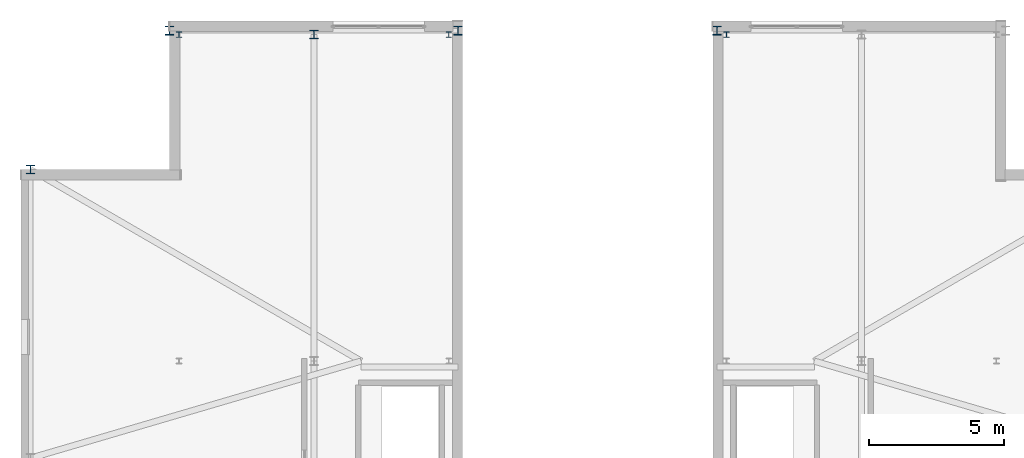
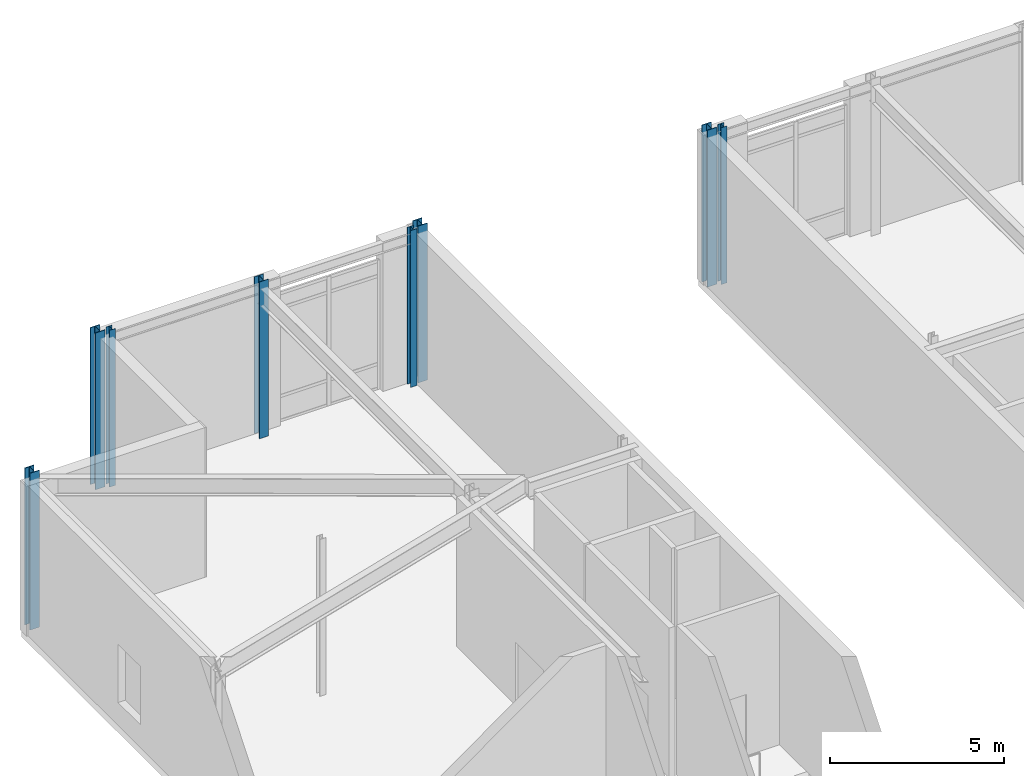
# One storey, part 5 of 14: 8 columns.
"""IFC4 building model written with IfcOpenShell, lengths in metres."""

import ifcopenshell
import ifcopenshell.guid

model = None  # the IFC model being written
_history = None  # IfcOwnerHistory: only IFC2X3 demands one
_inside = {}  # id of a spatial element -> (the spatial element, [elements in it])
_under = {}  # id of a project, library or spatial element -> (it, [spatial elements below it])
_declared = {}  # id of a project -> (the project, [libraries it declares])
_typed = {}  # id of a type object -> (the type object, [elements of that type])
_made_of = {}  # id of a material, layer set ... -> (it, [elements and type objects made of it])


def new_model(schema):
    """Start an empty IFC model of exactly this schema.

    Asked for "IFC4X3", IfcOpenShell would pick the latest addendum, in which some entities
    have other attributes; the version numbers below select the first issue.
    IFC2X3 requires an IfcOwnerHistory on every rooted entity: one is made here for all.
    """
    global model, _history
    if schema == "IFC4X3":
        model = ifcopenshell.file(schema_version=(4, 3, 0, 0))
    else:
        model = ifcopenshell.file(schema=schema)
    _inside.clear()
    _under.clear()
    _declared.clear()
    _typed.clear()
    _made_of.clear()
    _history = None
    if model.schema == "IFC2X3":
        org = make("IfcOrganization", Name="unknown")
        user = make(
            "IfcPersonAndOrganization",
            ThePerson=make("IfcPerson", FamilyName="unknown"),
            TheOrganization=org,
        )
        app = make(
            "IfcApplication",
            ApplicationDeveloper=org,
            Version="unknown",
            ApplicationFullName="unknown",
            ApplicationIdentifier="unknown",
        )
        _history = make(
            "IfcOwnerHistory",
            OwningUser=user,
            OwningApplication=app,
            ChangeAction="ADDED",
            CreationDate=0,
        )
    return model


def make(cls, **values):
    """One entity of the class cls with the attributes given. An attribute that is None is left unset."""
    return model.create_entity(
        cls, **{name: value for name, value in values.items() if value is not None}
    )


def rooted(cls, **values):
    """An entity with a GlobalId (a new one), such as an element, a storey or a relation."""
    return make(cls, GlobalId=ifcopenshell.guid.new(), OwnerHistory=_history, **values)


def si_unit(unit_type, name, prefix=None):
    """IfcSIUnit, for example si_unit("LENGTHUNIT", "METRE", prefix="MILLI")."""
    return make("IfcSIUnit", UnitType=unit_type, Prefix=prefix, Name=name)


def assignment(units):
    """IfcUnitAssignment: the units of a project."""
    return None if units is None else make("IfcUnitAssignment", Units=units)


def point(xyz):
    """IfcCartesianPoint."""
    return None if xyz is None else make("IfcCartesianPoint", Coordinates=xyz)


def direction(xyz):
    """IfcDirection."""
    return None if xyz is None else make("IfcDirection", DirectionRatios=xyz)


def frame(location, z_axis=None, x_axis=None):
    """IfcAxis2Placement3D, a coordinate frame: its origin and axes. An axis left out is left unset."""
    return make(
        "IfcAxis2Placement3D",
        Location=point(location),
        Axis=direction(z_axis),
        RefDirection=direction(x_axis),
    )


def frame_2d(location, x_axis=None):
    """IfcAxis2Placement2D, a coordinate frame in the plane: its origin and x axis."""
    return make(
        "IfcAxis2Placement2D", Location=point(location), RefDirection=direction(x_axis)
    )


def origin():
    """The frame at (0, 0, 0) with its axes left unset."""
    return frame((0.0, 0.0, 0.0))


def origin_2d():
    """The frame at (0, 0) in the plane with its x axis left unset."""
    return frame_2d((0.0, 0.0))


def place(relative_to, where):
    """IfcLocalPlacement: puts the frame where relative to a parent placement (None: the world)."""
    return make(
        "IfcLocalPlacement", PlacementRelTo=relative_to, RelativePlacement=where
    )


def context(
    kind, dimensions, precision=None, world=None, true_north=None, identifier=None
):
    """IfcGeometricRepresentationContext, for example the 3D "Model" context."""
    return make(
        "IfcGeometricRepresentationContext",
        ContextIdentifier=identifier,
        ContextType=kind,
        CoordinateSpaceDimension=dimensions,
        Precision=precision,
        WorldCoordinateSystem=world,
        TrueNorth=true_north,
    )


def subcontext(parent, identifier, kind, view, scale=None):
    """IfcGeometricRepresentationSubContext, for example "Body" below "Model"."""
    return make(
        "IfcGeometricRepresentationSubContext",
        ContextIdentifier=identifier,
        ContextType=kind,
        ParentContext=parent,
        TargetScale=scale,
        TargetView=view,
    )


def project(units=None, contexts=None):
    """IfcProject with its units and contexts."""
    return rooted(
        "IfcProject",
        Name="project",
        RepresentationContexts=contexts,
        UnitsInContext=assignment(units),
    )


def spatial(cls, under=None, at=None, **own):
    """A site, building, storey or space (cls), placed at a placement, below another one or the project."""
    s = rooted(cls, ObjectPlacement=at, **own)
    if under is not None:
        _under.setdefault(under.id(), (under, []))[1].append(s)
    return s


def profile(cls, at=None, kind="AREA", **sizes):
    """A parametric profile (cls). Its sizes go by their IFC names, for example OverallWidth=200.0."""
    return make(cls, ProfileType=kind, Position=at, **sizes)


def i_section(**sizes):
    """IfcIShapeProfileDef."""
    return profile("IfcIShapeProfileDef", **sizes)


def extrude(swept, where, along, depth):
    """IfcExtrudedAreaSolid: the profile swept, set in the frame where, extruded along a direction by depth."""
    return make(
        "IfcExtrudedAreaSolid",
        SweptArea=swept,
        Position=where,
        ExtrudedDirection=direction(along),
        Depth=depth,
    )


def shape(context_of_items, identifier, shape_type, items):
    """IfcShapeRepresentation: the items that make up one representation, for example the "Body"."""
    return make(
        "IfcShapeRepresentation",
        ContextOfItems=context_of_items,
        RepresentationIdentifier=identifier,
        RepresentationType=shape_type,
        Items=items,
    )


def material(Name=None, Category=None):
    """IfcMaterial."""
    return make("IfcMaterial", Name=Name, Category=Category)


def material_profile(
    of_material, cross_section, Name=None, Category=None, Priority=None
):
    """IfcMaterialProfile: a cross section and its material."""
    return make(
        "IfcMaterialProfile",
        Name=Name,
        Material=of_material,
        Profile=cross_section,
        Priority=Priority,
        Category=Category,
    )


def profile_set(profiles, Name=None, composite=None):
    """IfcMaterialProfileSet."""
    return make(
        "IfcMaterialProfileSet",
        Name=Name,
        MaterialProfiles=profiles,
        CompositeProfile=composite,
    )


def made_of(thing, what):
    """Note that an element or type object is made of a material, layer set ...; save() writes the relation."""
    if what is not None:
        _made_of.setdefault(what.id(), (what, []))[1].append(thing)
    return thing


def type_object(cls, material=None, **own):
    """A type object (cls), such as IfcWallType, which elements share."""
    return made_of(rooted(cls, **own), material)


def element(
    cls,
    number,
    at=None,
    inside=None,
    cuts=None,
    type_object=None,
    material=None,
    context=None,
    identifier="Body",
    shape_type=None,
    held_by="IfcProductDefinitionShape",
    body=None,
    shapes=None,
    **own,
):
    """One element of the class cls, such as IfcWall. Its Tag is "e" and its number.

    at: its placement. inside: the storey or other place that contains it. cuts: it is an
    opening in that element (IfcRelVoidsElement). A single representation is given by context,
    identifier, shape_type and body (its items); several are given by shapes. held_by: the class
    of the entity that holds the representations. save() writes the other relations.
    """
    e = rooted(cls, Tag="e%d" % number, ObjectPlacement=at, **own)
    if body is not None:
        shapes = [shape(context, identifier, shape_type, body)]
    if shapes is not None:
        e.Representation = make(held_by, Representations=shapes)
    if inside is not None:
        _inside.setdefault(inside.id(), (inside, []))[1].append(e)
    if cuts is not None:
        rooted(
            "IfcRelVoidsElement", RelatingBuildingElement=cuts, RelatedOpeningElement=e
        )
    if type_object is not None:
        _typed.setdefault(type_object.id(), (type_object, []))[1].append(e)
    return made_of(e, material)


def aggregate(whole, parts):
    """IfcRelAggregates: a whole, such as a stair, and the parts it consists of."""
    return rooted("IfcRelAggregates", RelatingObject=whole, RelatedObjects=parts)


def save(model, path):
    """Write the relations noted so far, then the file.

    IfcRelAggregates (storeys below a building ...), IfcRelContainedInSpatialStructure (elements
    in a storey), IfcRelDefinesByType, IfcRelAssociatesMaterial and IfcRelDeclares: one each for
    every whole, place, type object, material and project.
    """
    for whole, parts in _under.values():
        aggregate(whole, parts)
    for where, things in _inside.values():
        rooted(
            "IfcRelContainedInSpatialStructure",
            RelatedElements=things,
            RelatingStructure=where,
        )
    for kind, things in _typed.values():
        rooted("IfcRelDefinesByType", RelatedObjects=things, RelatingType=kind)
    for what, things in _made_of.values():
        rooted("IfcRelAssociatesMaterial", RelatedObjects=things, RelatingMaterial=what)
    for by, libraries in _declared.values():
        rooted("IfcRelDeclares", RelatingContext=by, RelatedDefinitions=libraries)
    model.write(path)


model = new_model("IFC4")

# Units and contexts
model_context = context("Model", 3, precision=1e-05, world=origin(), true_north=direction((0.0, 1.0)))
body_context = subcontext(model_context, "Body", "Model", "MODEL_VIEW")
ifc_project = project(units=[si_unit("LENGTHUNIT", "METRE"), si_unit("AREAUNIT", "SQUARE_METRE"), si_unit("VOLUMEUNIT", "CUBIC_METRE"), si_unit("PLANEANGLEUNIT", "RADIAN"), si_unit("MASSUNIT", "GRAM", prefix="KILO")], contexts=[model_context])

# Site, building, storey
site_placement = place(None, origin())
site = spatial("IfcSite", under=ifc_project, at=site_placement, CompositionType="ELEMENT")
building_placement = place(site_placement, origin())
building = spatial("IfcBuilding", under=site, at=building_placement, Name="Cairnveth Concourse Tower", CompositionType="ELEMENT")
storey_placement = place(building_placement, frame((0.0, 0.0, 330.0)))
storey = spatial("IfcBuildingStorey", under=building, at=storey_placement, Name="L90", CompositionType="ELEMENT", Elevation=330.0)

# Columns
ifc_material = material(Name="Steel Grade 350", Category="steel")
ifc_material_profile_1 = material_profile(ifc_material, i_section(OverallWidth=0.202880859375, OverallDepth=0.202880859375, WebThickness=0.00927734375, FlangeThickness=0.01416015625, FilletRadius=0.010009765625, at=origin_2d()), Name="200UC59.5")
ifc_profile_set_1 = profile_set([ifc_material_profile_1], Name="Steel Grade 350")
column_type_1 = type_object("IfcColumnType", Name="PILASTER STEEL COLUMN 200UC59.5", PredefinedType="PILASTER", material=ifc_profile_set_1)
for number, where, z_axis, x_axis, name in (
    (1, (36.85009765625, 59.5, 0.0), (0.0, 0.0, 1.0), (1.0, 0.0, 0.0), "Column CRL-W4 L90"),
    (2, (46.85009765625, 59.5, 0.0), (0.0, 0.0, 1.0), (1.0, 0.0, 0.0), "Column CRR-W4 L90"),
    (3, (57.14990234375, 59.5, 0.0), (0.0, 0.0, 1.0), (1.0, 0.0, 0.0), "Column CRL-E4 L90"),
):
    element("IfcColumn", number, at=place(storey_placement, frame(where, z_axis=z_axis, x_axis=x_axis)), inside=storey, type_object=column_type_1, Name=name, PredefinedType="PILASTER", context=body_context, shape_type="SweptSolid", body=[
        extrude(i_section(OverallWidth=0.202880859375, OverallDepth=0.202880859375, WebThickness=0.00927734375, FlangeThickness=0.01416015625, FilletRadius=0.010009765625, at=origin_2d()), origin(), (0.0, 0.0, 1.0), 5.5),
    ])
ifc_material_profile_2 = material_profile(ifc_material, i_section(OverallWidth=0.306884765625, OverallDepth=0.31494140625, WebThickness=0.011962890625, FlangeThickness=0.018798828125, FilletRadius=0.01611328125, at=origin_2d()), Name="310UC118")
ifc_profile_set_2 = profile_set([ifc_material_profile_2], Name="Steel Grade 350")
column_type_2 = type_object("IfcColumnType", Name="UNIVERSAL STEEL COLUMN 310UC118", PredefinedType="COLUMN", material=ifc_profile_set_2)
column_placement = place(storey_placement, frame((41.85009765625, 59.5, 0.0), z_axis=(0.0, 0.0, 1.0), x_axis=(1.0, 0.0, 0.0)))
element("IfcColumn", 4, at=column_placement, inside=storey, type_object=column_type_2, Name="Column CRM-W4 L90", PredefinedType="COLUMN", context=body_context, shape_type="SweptSolid", body=[
    extrude(i_section(OverallWidth=0.306884765625, OverallDepth=0.31494140625, WebThickness=0.011962890625, FlangeThickness=0.018798828125, FilletRadius=0.01611328125, at=origin_2d()), origin(), (0.0, 0.0, 1.0), 5.5),
])
ifc_material_profile_3 = material_profile(ifc_material, i_section(OverallWidth=0.31103515625, OverallDepth=0.326904296875, WebThickness=0.015625, FlangeThickness=0.02490234375, FilletRadius=0.01611328125, at=origin_2d()), Name="310UC158")
ifc_profile_set_3 = profile_set([ifc_material_profile_3], Name="Steel Grade 350")
column_type_3 = type_object("IfcColumnType", Name="UNIVERSAL STEEL COLUMN 310UC158", PredefinedType="COLUMN", material=ifc_profile_set_3)
for number, where, z_axis, x_axis, name in (
    (5, (56.800048828125, 59.64990234375, 0.0), (0.0, 0.0, 1.0), (1.0, 0.0, 0.0), "Column CR-N2 L90"),
    (6, (47.199951171875, 59.64990234375, 0.0), (0.0, 0.0, 1.0), (1.0, 0.0, 0.0), "Column CR-N3 L90"),
    (7, (36.5, 59.64990234375, 0.0), (0.0, 0.0, 1.0), (1.0, 0.0, 0.0), "Column CR-N4 L90"),
    (8, (31.35009765625, 54.5, 0.0), (0.0, 0.0, 1.0), (1.0, 0.0, 0.0), "Column CR-W1 L90"),
):
    element("IfcColumn", number, at=place(storey_placement, frame(where, z_axis=z_axis, x_axis=x_axis)), inside=storey, type_object=column_type_3, Name=name, PredefinedType="COLUMN", context=body_context, shape_type="SweptSolid", body=[
        extrude(i_section(OverallWidth=0.31103515625, OverallDepth=0.326904296875, WebThickness=0.015625, FlangeThickness=0.02490234375, FilletRadius=0.01611328125, at=origin_2d()), origin(), (0.0, 0.0, 1.0), 5.5),
    ])

save(model, "model.ifc")
